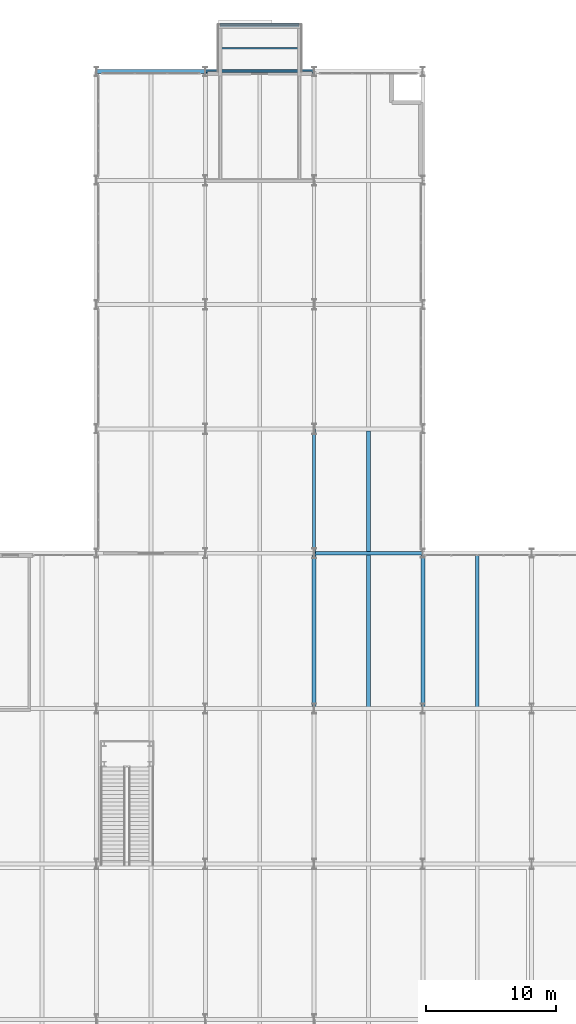
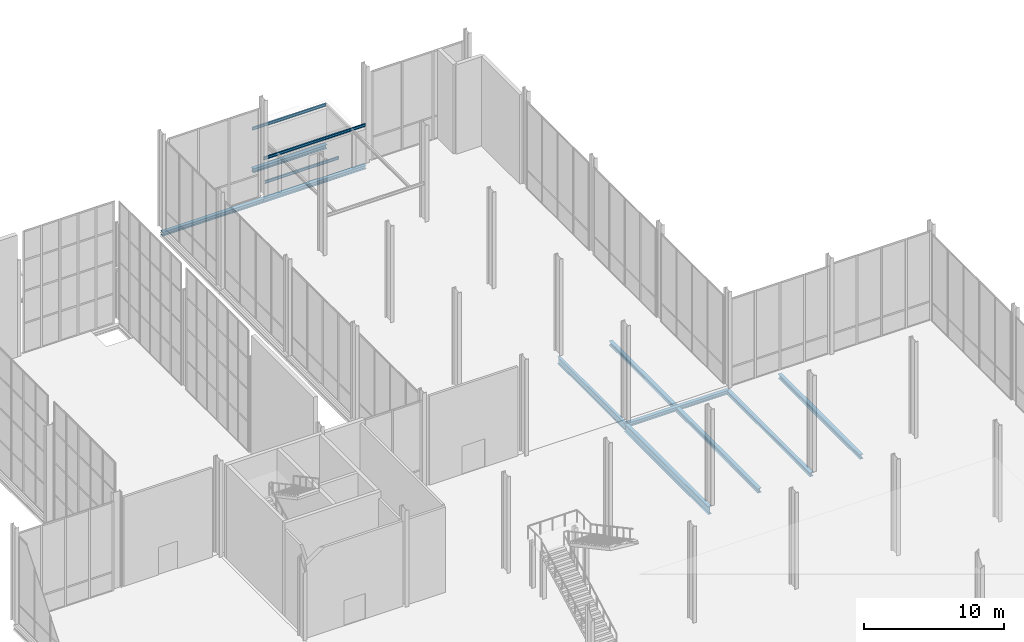
# One storey, part 71 of 131: 13 beams.
"""IFC4 building model written with IfcOpenShell, lengths in metres."""

from ifc_helpers import new_model, si_unit, direction, frame, origin, origin_2d, place, context, subcontext, project, spatial, i_section, extrude, material, material_profile, profile_set, type_object, element, save


model = new_model("IFC4")

# Units and contexts
model_context = context("Model", 3, precision=1e-05, world=origin(), true_north=direction((0.0, 1.0)))
body_context = subcontext(model_context, "Body", "Model", "MODEL_VIEW")
ifc_project = project(units=[si_unit("LENGTHUNIT", "METRE"), si_unit("AREAUNIT", "SQUARE_METRE"), si_unit("VOLUMEUNIT", "CUBIC_METRE"), si_unit("PLANEANGLEUNIT", "RADIAN"), si_unit("MASSUNIT", "GRAM", prefix="KILO")], contexts=[model_context])

# Site, building, storey
site_placement = place(None, origin())
site = spatial("IfcSite", under=ifc_project, at=site_placement, CompositionType="ELEMENT")
building_placement = place(site_placement, origin())
building = spatial("IfcBuilding", under=site, at=building_placement, Name="Veltarok Museum of Natural Sciences", CompositionType="ELEMENT")
storey_placement = place(building_placement, origin())
storey = spatial("IfcBuildingStorey", under=building, at=storey_placement, Name="L00", CompositionType="ELEMENT", Elevation=0.0)

# Beams
ifc_material = material(Name="Steel S355J2", Category="steel")
ifc_material_profile_1 = material_profile(ifc_material, i_section(OverallWidth=0.1201171875, OverallDepth=0.239990234375, WebThickness=0.006103515625, FlangeThickness=0.009765625, FilletRadius=0.014892578125, at=origin_2d()), Name="IPE 240")
ifc_profile_set_1 = profile_set([ifc_material_profile_1], Name="Steel S355J2")
beam_type_1 = type_object("IfcBeamType", Name="Cabinet Box Secondary Joist IPE 240", PredefinedType="JOIST", material=ifc_profile_set_1)
beam_1_placement = place(storey_placement, frame((65.199951171875, 109.199951171875, 3.1298828125), z_axis=(1.0, 0.0, 0.0), x_axis=(0.0, 1.0, 0.0)))
element("IfcBeam", 1, at=beam_1_placement, inside=storey, type_object=beam_type_1, Name="Cabinet Roof Tie Beam DB-34-P", PredefinedType="JOIST", context=body_context, shape_type="SweptSolid", body=[
    extrude(i_section(OverallWidth=0.1201171875, OverallDepth=0.239990234375, WebThickness=0.006103515625, FlangeThickness=0.009765625, FilletRadius=0.014892578125, at=origin_2d()), origin(), (0.0, 0.0, 1.0), 8.400146484375),
])
for number, where, z_axis, x_axis, name in (
    (2, (66.35009765625, 112.800048828125, 3.1298828125), (1.0, 0.0, 0.0), (0.0, 1.0, 0.0), "Cabinet Roof Tip Header DB-34"),
    (3, (66.35009765625, 111.0, -0.419921875), (1.0, 0.0, 0.0), (0.0, 1.0, 0.0), "Cabinet Box Joist DB-34"),
):
    element("IfcBeam", number, at=place(storey_placement, frame(where, z_axis=z_axis, x_axis=x_axis)), inside=storey, type_object=beam_type_1, Name=name, PredefinedType="JOIST", context=body_context, shape_type="SweptSolid", body=[
        extrude(i_section(OverallWidth=0.1201171875, OverallDepth=0.239990234375, WebThickness=0.006103515625, FlangeThickness=0.009765625, FilletRadius=0.014892578125, at=origin_2d()), origin(), (0.0, 0.0, 1.0), 6.099853515625),
    ])
ifc_material_profile_2 = material_profile(ifc_material, i_section(OverallWidth=0.300048828125, OverallDepth=0.35009765625, WebThickness=0.010009765625, FlangeThickness=0.017578125, FilletRadius=0.027099609375, at=origin_2d()), Name="HEA 360")
ifc_profile_set_2 = profile_set([ifc_material_profile_2], Name="Steel S355J2")
beam_type_2 = type_object("IfcBeamType", Name="Cabinet Box Tip Header HEA 360", PredefinedType="BEAM", material=ifc_profile_set_2)
beam_2_placement = place(storey_placement, frame((66.35009765625, 112.800048828125, -0.47509765625), z_axis=(1.0, 0.0, 0.0), x_axis=(0.0, 1.0, 0.0)))
element("IfcBeam", 4, at=beam_2_placement, inside=storey, type_object=beam_type_2, Name="Cabinet Tip Header DB-34", PredefinedType="BEAM", context=body_context, shape_type="SweptSolid", body=[
    extrude(i_section(OverallWidth=0.300048828125, OverallDepth=0.35009765625, WebThickness=0.010009765625, FlangeThickness=0.017578125, FilletRadius=0.027099609375, at=origin_2d()), origin(), (0.0, 0.0, 1.0), 6.099853515625),
])
ifc_material_profile_3 = material_profile(ifc_material, i_section(OverallWidth=0.300048828125, OverallDepth=0.389892578125, WebThickness=0.010986328125, FlangeThickness=0.01904296875, FilletRadius=0.027099609375, at=origin_2d()), Name="HEA 400")
ifc_profile_set_3 = profile_set([ifc_material_profile_3], Name="Steel S355J2")
beam_type_3 = type_object("IfcBeamType", Name="Heavy Archive Joist HEA 400", PredefinedType="JOIST", material=ifc_profile_set_3)
for number, where, z_axis, x_axis, name in (
    (5, (77.800048828125, 60.14794921875, -0.4951171875), (0.0, 1.0, 0.0), (-1.0, 0.0, 0.0), "Secondary Joist BM-J06 L00 9-10/G-H.1"),
    (6, (86.199951171875, 60.14794921875, -0.4951171875), (0.0, 1.0, 0.0), (-1.0, 0.0, 0.0), "Secondary Joist BM-J06 L00 10-11/G-H.1"),
):
    element("IfcBeam", number, at=place(storey_placement, frame(where, z_axis=z_axis, x_axis=x_axis)), inside=storey, type_object=beam_type_3, Name=name, PredefinedType="JOIST", context=body_context, shape_type="SweptSolid", body=[
        extrude(i_section(OverallWidth=0.300048828125, OverallDepth=0.389892578125, WebThickness=0.010986328125, FlangeThickness=0.01904296875, FilletRadius=0.027099609375, at=origin_2d()), origin(), (0.0, 0.0, 1.0), 11.7041015625),
    ])
ifc_material_profile_4 = material_profile(ifc_material, i_section(OverallWidth=0.300048828125, OverallDepth=0.35009765625, WebThickness=0.010009765625, FlangeThickness=0.017578125, FilletRadius=0.027099609375, at=origin_2d()), Name="HEA 360")
ifc_profile_set_4 = profile_set([ifc_material_profile_4], Name="Steel S355J2")
beam_type_4 = type_object("IfcBeamType", Name="Long-Span Gallery Joist HEA 360", PredefinedType="JOIST", material=ifc_profile_set_4)
beam_3_placement = place(storey_placement, frame((77.800048828125, 72.14794921875, -0.47509765625), z_axis=(0.0, 1.0, 0.0), x_axis=(-1.0, 0.0, 0.0)))
element("IfcBeam", 7, at=beam_3_placement, inside=storey, type_object=beam_type_4, Name="Secondary Joist BM-J07 L00 9-10/H-J.1", PredefinedType="JOIST", context=body_context, shape_type="SweptSolid", body=[
    extrude(i_section(OverallWidth=0.300048828125, OverallDepth=0.35009765625, WebThickness=0.010009765625, FlangeThickness=0.017578125, FilletRadius=0.027099609375, at=origin_2d()), origin(), (0.0, 0.0, 1.0), 9.303955078125),
])
ifc_material_profile_5 = material_profile(ifc_material, i_section(OverallWidth=0.300048828125, OverallDepth=0.699951171875, WebThickness=0.01708984375, FlangeThickness=0.031982421875, FilletRadius=0.027099609375, at=origin_2d()), Name="HEB 700")
ifc_profile_set_5 = profile_set([ifc_material_profile_5], Name="Steel S355J2")
beam_type_5 = type_object("IfcBeamType", Name="Long-Span Hall Girder HEB 700", PredefinedType="BEAM", material=ifc_profile_set_5)
beam_4_placement = place(storey_placement, frame((73.60009765625, 60.0, -0.64990234375), z_axis=(0.0, 1.0, 0.0), x_axis=(-1.0, 0.0, 0.0)))
element("IfcBeam", 8, at=beam_4_placement, inside=storey, type_object=beam_type_5, Name="Beam BM-G01 L00 9/G-H", PredefinedType="BEAM", context=body_context, shape_type="SweptSolid", body=[
    extrude(i_section(OverallWidth=0.300048828125, OverallDepth=0.699951171875, WebThickness=0.01708984375, FlangeThickness=0.031982421875, FilletRadius=0.027099609375, at=origin_2d()), origin(), (0.0, 0.0, 1.0), 12.0),
])
ifc_material_profile_6 = material_profile(ifc_material, i_section(OverallWidth=0.300048828125, OverallDepth=0.340087890625, WebThickness=0.011962890625, FlangeThickness=0.021484375, FilletRadius=0.027099609375, at=origin_2d()), Name="HEB 340")
ifc_profile_set_6 = profile_set([ifc_material_profile_6], Name="Steel S355J2")
beam_type_6 = type_object("IfcBeamType", Name="Perimeter Bridge Spandrel HEB 340", PredefinedType="SPANDREL", material=ifc_profile_set_6)
for number, where, z_axis, x_axis, name in (
    (9, (73.60009765625, 72.0, -0.469970703125), (1.0, 0.0, 0.0), (0.0, 1.0, 0.0), "Beam BM-SP07 L00 9-10/H"),
    (10, (56.800048828125, 109.199951171875, -0.469970703125), (1.0, 0.0, 0.0), (0.0, 1.0, 0.0), "Beam BM-SP07 L00 7-8/M"),
):
    element("IfcBeam", number, at=place(storey_placement, frame(where, z_axis=z_axis, x_axis=x_axis)), inside=storey, type_object=beam_type_6, Name=name, PredefinedType="SPANDREL", context=body_context, shape_type="SweptSolid", body=[
        extrude(i_section(OverallWidth=0.300048828125, OverallDepth=0.340087890625, WebThickness=0.011962890625, FlangeThickness=0.021484375, FilletRadius=0.027099609375, at=origin_2d()), origin(), (0.0, 0.0, 1.0), 8.39990234375),
    ])
beam_5_placement = place(storey_placement, frame((65.199951171875, 109.199951171875, -0.469970703125), z_axis=(1.0, 0.0, 0.0), x_axis=(0.0, 1.0, 0.0)))
element("IfcBeam", 11, at=beam_5_placement, inside=storey, type_object=beam_type_6, Name="Beam BM-SP07 L00 8-9/M", PredefinedType="SPANDREL", context=body_context, shape_type="SweptSolid", body=[
    extrude(i_section(OverallWidth=0.300048828125, OverallDepth=0.340087890625, WebThickness=0.011962890625, FlangeThickness=0.021484375, FilletRadius=0.027099609375, at=origin_2d()), origin(), (0.0, 0.0, 1.0), 8.400146484375),
])
beam_6_placement = place(storey_placement, frame((82.0, 60.0, -0.469970703125), z_axis=(0.0, 1.0, 0.0), x_axis=(-1.0, 0.0, 0.0)))
element("IfcBeam", 12, at=beam_6_placement, inside=storey, type_object=beam_type_6, Name="Beam BM-SP07 L00 10/G-H", PredefinedType="SPANDREL", context=body_context, shape_type="SweptSolid", body=[
    extrude(i_section(OverallWidth=0.300048828125, OverallDepth=0.340087890625, WebThickness=0.011962890625, FlangeThickness=0.021484375, FilletRadius=0.027099609375, at=origin_2d()), origin(), (0.0, 0.0, 1.0), 12.0),
])
ifc_material_profile_7 = material_profile(ifc_material, i_section(OverallWidth=0.219970703125, OverallDepth=0.60009765625, WebThickness=0.011962890625, FlangeThickness=0.01904296875, FilletRadius=0.02392578125, at=origin_2d()), Name="IPE 600")
ifc_profile_set_7 = profile_set([ifc_material_profile_7], Name="Steel S355J2")
beam_type_7 = type_object("IfcBeamType", Name="Primary Museum Girder IPE 600", PredefinedType="BEAM", material=ifc_profile_set_7)
beam_7_placement = place(storey_placement, frame((73.60009765625, 72.0, -0.60009765625), z_axis=(0.0, 1.0, 0.0), x_axis=(-1.0, 0.0, 0.0)))
element("IfcBeam", 13, at=beam_7_placement, inside=storey, type_object=beam_type_7, Name="Beam BM-G02 L00 9/H-J", PredefinedType="BEAM", context=body_context, shape_type="SweptSolid", body=[
    extrude(i_section(OverallWidth=0.219970703125, OverallDepth=0.60009765625, WebThickness=0.011962890625, FlangeThickness=0.01904296875, FilletRadius=0.02392578125, at=origin_2d()), origin(), (0.0, 0.0, 1.0), 9.60009765625),
])

save(model, "model.ifc")
